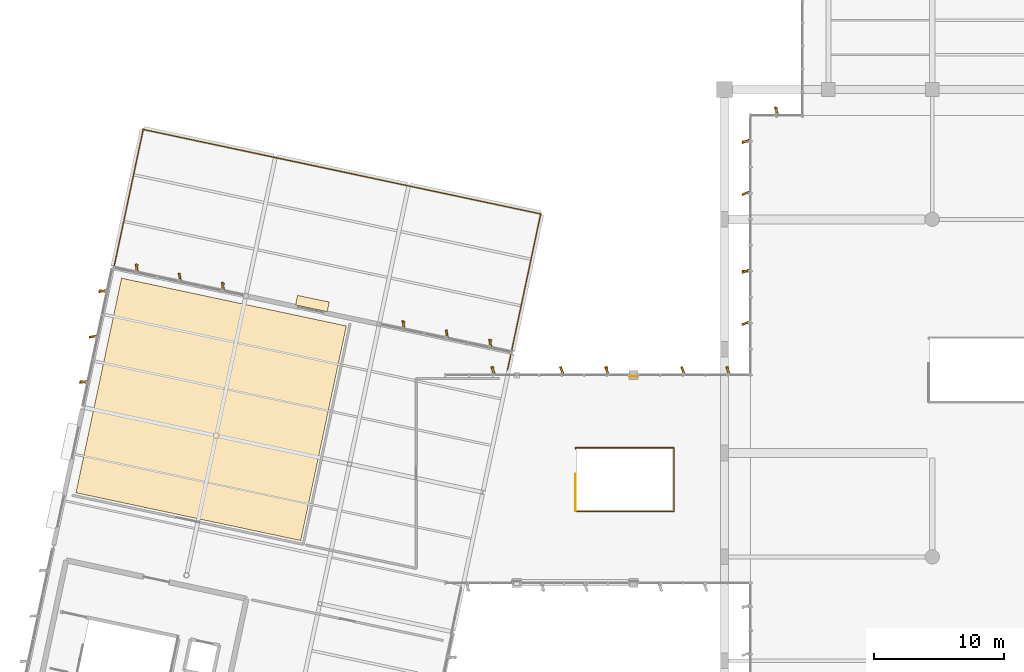
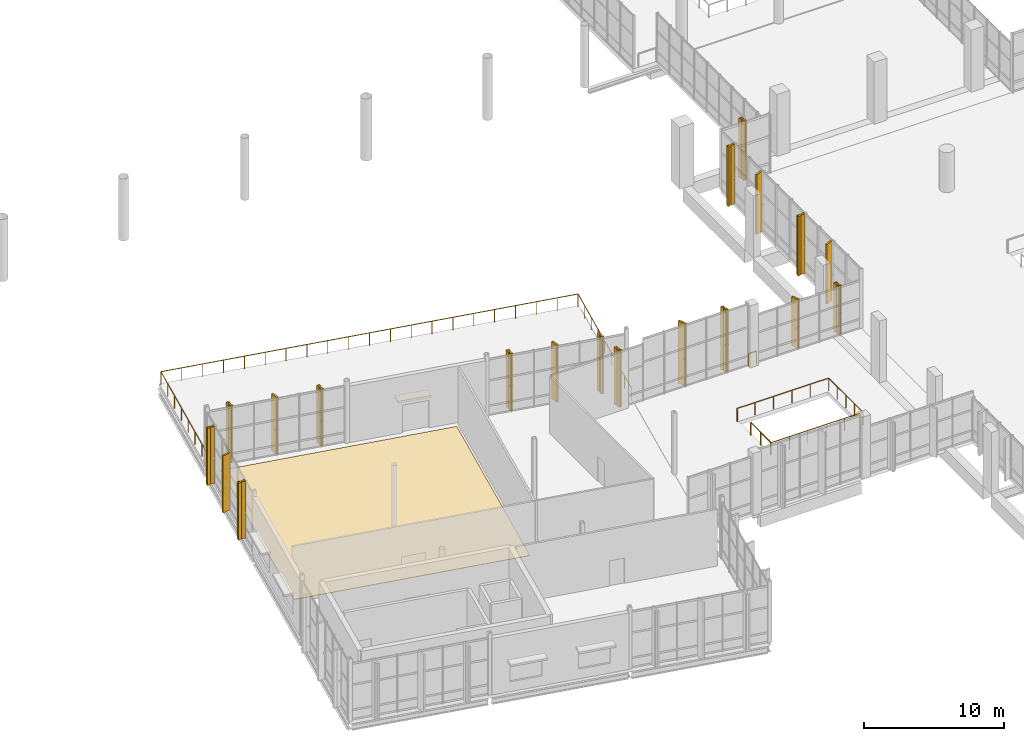
# One storey, part 164 of 176: 19 shading devices, 14 coverings, 4 railings.
"""IFC4 building model written with IfcOpenShell, lengths in metres."""

from ifc_helpers import new_model, si_unit, direction, frame, origin, origin_2d, place, context, subcontext, project, spatial, polyline, rectangle, outline, extrude, material, layer, layer_set, type_object, element, save


model = new_model("IFC4")

# Units and contexts
model_context = context("Model", 3, precision=1e-05, world=origin(), true_north=direction((0.0, 1.0)))
body_context = subcontext(model_context, "Body", "Model", "MODEL_VIEW")
ifc_project = project(units=[si_unit("LENGTHUNIT", "METRE"), si_unit("AREAUNIT", "SQUARE_METRE"), si_unit("VOLUMEUNIT", "CUBIC_METRE"), si_unit("PLANEANGLEUNIT", "RADIAN"), si_unit("MASSUNIT", "GRAM", prefix="KILO")], contexts=[model_context])

# Site, building, storey
site_placement = place(None, origin())
site = spatial("IfcSite", under=ifc_project, at=site_placement, CompositionType="ELEMENT")
building_placement = place(site_placement, origin())
building = spatial("IfcBuilding", under=site, at=building_placement, Name="Khorjan Park Terminus", CompositionType="ELEMENT")
storey_placement = place(building_placement, frame((0.0, 0.0, 6.0)))
storey = spatial("IfcBuildingStorey", under=building, at=storey_placement, Name="L01", CompositionType="ELEMENT", Elevation=6.0)

# Coverings
ifc_material_1 = material(Name="Pigmented Precast GRC", Category="concrete")
ifc_layer_1 = layer(ifc_material_1, 0.16)
ifc_layer_set_1 = layer_set([ifc_layer_1], Name="Pigmented Precast GRC")
covering_type_1 = type_object("IfcCoveringType", Name="CV-FIN-GRC", PredefinedType="CLADDING", material=ifc_layer_set_1)
for number, where, z_axis, x_axis, name in (
    (1, (52.0, 86.355, -0.02), (0.0, 0.0, 1.0), (0.0, -1.0, 0.0), "Projecting desert-sandstone GRC facade fin CL-FN1 (CW-V2-N-L01-01-1)"),
    (2, (49.645, 74.0, -0.02), (0.0, 0.0, 1.0), (1.0, 0.0, 0.0), "Projecting desert-sandstone GRC facade fin CL-FN1 (CW-V2-W-L01-04-1)"),
    (3, (49.645, 84.0, -0.02), (0.0, 0.0, 1.0), (1.0, 0.0, 0.0), "Projecting desert-sandstone GRC facade fin CL-FN1 (CW-V2-W-L01-05-1)"),
):
    element("IfcCovering", number, at=place(storey_placement, frame(where, z_axis=z_axis, x_axis=x_axis)), inside=storey, type_object=covering_type_1, Name=name, PredefinedType="CLADDING", context=body_context, shape_type="SweptSolid", body=[
        extrude(rectangle(XDim=0.58, YDim=0.16, at=origin_2d()), origin(), (0.0, 0.0, 1.0), 5.19),
    ])
covering_1_placement = place(storey_placement, frame((30.1667, 66.355, -0.02), z_axis=(0.0, 0.0, 1.0), x_axis=(0.0, -1.0, 0.0)))
element("IfcCovering", 4, at=covering_1_placement, inside=storey, type_object=covering_type_1, Name="Projecting desert-sandstone GRC facade fin CL-FN1 (CW-V4L-N-L01-1-1)", PredefinedType="CLADDING", context=body_context, shape_type="SweptSolid", body=[
    extrude(rectangle(XDim=0.58, YDim=0.16, at=origin_2d()), origin(), (0.0, 0.0, 1.0), 4.97),
])
covering_2_placement = place(storey_placement, frame((38.936, 66.355, -0.02), z_axis=(0.0, 0.0, 1.0), x_axis=(0.0, -1.0, 0.0)))
element("IfcCovering", 5, at=covering_2_placement, inside=storey, type_object=covering_type_1, Name="Projecting desert-sandstone GRC facade fin CL-FN1 (CW-V4L-N-L01-2-1)", PredefinedType="CLADDING", context=body_context, shape_type="SweptSolid", body=[
    extrude(rectangle(XDim=0.58, YDim=0.16, at=origin_2d()), origin(), (0.0, 0.0, 1.0), 5.44),
])
covering_3_placement = place(storey_placement, frame((48.266, 66.355, -0.02), z_axis=(0.0, 0.0, 1.0), x_axis=(0.0, -1.0, 0.0)))
element("IfcCovering", 6, at=covering_3_placement, inside=storey, type_object=covering_type_1, Name="Projecting desert-sandstone GRC facade fin CL-FN1 (CW-V4L-N-L01-3-1)", PredefinedType="CLADDING", context=body_context, shape_type="SweptSolid", body=[
    extrude(rectangle(XDim=0.58, YDim=0.16, at=origin_2d()), origin(), (0.0, 0.0, 1.0), 4.265),
])
for number, where, z_axis, x_axis, name in (
    (7, (29.9501, 68.4587, -0.02), (0.0, 0.0, 1.0), (-0.207911690818, -0.978147600734, 0.0), "Projecting desert-sandstone GRC facade fin CL-FN1 (CW-V4-N-L01-B01-1)"),
    (8, (23.2723, 69.8781, -0.02), (0.0, 0.0, 1.0), (-0.207911690818, -0.978147600734, 0.0), "Projecting desert-sandstone GRC facade fin CL-FN1 (CW-V4-N-L01-B01-5)"),
    (9, (9.3657, 72.834, -0.02), (0.0, 0.0, 1.0), (-0.207911690818, -0.978147600734, 0.0), "Projecting desert-sandstone GRC facade fin CL-FN1 (CW-V4-N-L01-B03-1)"),
    (10, (2.7227, 74.2461, -0.02), (0.0, 0.0, 1.0), (-0.207911690818, -0.978147600734, 0.0), "Projecting desert-sandstone GRC facade fin CL-FN1 (CW-V4-N-L01-B03-5)"),
    (11, (0.1147, 72.4746, -0.02), (0.0, 0.0, 1.0), (0.978147600734, -0.207911690818, 0.0), "Projecting desert-sandstone GRC facade fin CL-FN1 (CW-V4-W-L01-B01-1)"),
    (12, (-1.3739, 65.4708, -0.02), (0.0, 0.0, 1.0), (0.978147600734, -0.207911690818, 0.0), "Projecting desert-sandstone GRC facade fin CL-FN1 (CW-V4-W-L01-B01-5)"),
):
    element("IfcCovering", number, at=place(storey_placement, frame(where, z_axis=z_axis, x_axis=x_axis)), inside=storey, type_object=covering_type_1, Name=name, PredefinedType="CLADDING", context=body_context, shape_type="SweptSolid", body=[
        extrude(rectangle(XDim=0.58, YDim=0.16, at=origin_2d()), origin(), (0.0, 0.0, 1.0), 4.97),
    ])
ifc_material_2 = material(Name="Polished Desert Limestone Terrazzo", Category="masonry")
ifc_layer_2 = layer(ifc_material_2, 0.035)
ifc_layer_set_2 = layer_set([ifc_layer_2], Name="Polished Desert Limestone Terrazzo")
covering_type_2 = type_object("IfcCoveringType", Name="CV-FLR-TRZ", PredefinedType="FLOORING", material=ifc_layer_set_2)
covering_4_placement = place(storey_placement, origin())
element("IfcCovering", 13, at=covering_4_placement, inside=storey, type_object=covering_type_2, Name="Architectural floor finish FF-TRZ (L01-PAV-DIN)", PredefinedType="FLOORING", context=body_context, shape_type="SweptSolid", body=[
    extrude(outline(polyline([(15.3568, 53.2556), (-1.9564, 56.9357), (1.5574, 73.4664), (18.8706, 69.7863), (15.3568, 53.2556)])), origin(), (0.0, 0.0, 1.0), 0.035),
])
ifc_layer_3 = layer(ifc_material_1, 0.18)
ifc_layer_set_3 = layer_set([ifc_layer_3], Name="Pigmented Precast GRC")
covering_type_3 = type_object("IfcCoveringType", Name="CV-HOOD-GRC", PredefinedType="CLADDING", material=ifc_layer_set_3)
covering_5_placement = place(storey_placement, frame((16.2571, 71.5124, 2.41), z_axis=(0.0, 0.0, 1.0), x_axis=(-0.978147157234, 0.20791377731, 0.0)))
element("IfcCovering", 14, at=covering_5_placement, inside=storey, type_object=covering_type_3, Name="Projecting pigmented-GRC entrance canopy hood CL-HD1 (EW-V4-N-L01-B02)", PredefinedType="CLADDING", context=body_context, shape_type="SweptSolid", body=[
    extrude(rectangle(XDim=2.5, YDim=0.76, at=origin_2d()), origin(), (0.0, 0.0, 1.0), 0.18),
])

# Railings
ifc_material_3 = material(Name="Steel S355", Category="steel")
railing_type_1 = type_object("IfcRailingType", Name="GR-112", PredefinedType="GUARDRAIL", material=ifc_material_3)
railing_1_placement = place(storey_placement, frame((36.52, 55.55, 0.0)))
element("IfcRailing", 15, at=railing_1_placement, inside=storey, type_object=railing_type_1, Name="Stair PVS-01 top-floor well departure guard GR-112", PredefinedType="GUARDRAIL", context=body_context, shape_type="SweptSolid", body=[
    extrude(rectangle(XDim=0.048, YDim=0.048, at=origin_2d()), frame((0.0, 0.0, 1.096), z_axis=(0.0, 1.0, 0.0), x_axis=(-1.0, 0.0, 0.0)), (0.0, 0.0, 1.0), 2.83),
    extrude(rectangle(XDim=0.042, YDim=0.042, at=origin_2d()), origin(), (0.0, 0.0, 1.0), 1.072),
    extrude(rectangle(XDim=0.042, YDim=0.042, at=origin_2d()), frame((0.0, 1.415, 0.0)), (0.0, 0.0, 1.0), 1.072),
    extrude(rectangle(XDim=0.042, YDim=0.042, at=origin_2d()), frame((0.0, 2.83, 0.0)), (0.0, 0.0, 1.0), 1.072),
])
railing_2_placement = place(storey_placement, frame((40.67, 65.9, 0.0)))
element("IfcRailing", 16, at=railing_2_placement, inside=storey, type_object=railing_type_1, Name="Perimeter safety guard GR-112 (L01-19)", PredefinedType="GUARDRAIL", context=body_context, shape_type="SweptSolid", body=[
    extrude(rectangle(XDim=0.048, YDim=0.048, at=origin_2d()), frame((0.0, 0.0, 1.096), z_axis=(1.0, 0.0, 0.0), x_axis=(0.0, 1.0, 0.0)), (0.0, 0.0, 1.0), 0.66),
    extrude(rectangle(XDim=0.042, YDim=0.042, at=origin_2d()), origin(), (0.0, 0.0, 1.0), 1.072),
    extrude(rectangle(XDim=0.042, YDim=0.042, at=origin_2d()), frame((0.66, 0.0, 0.0)), (0.0, 0.0, 1.0), 1.072),
])
ifc_material_4 = material(Name="Anodized Bronze Aluminium & Laminated Glass", Category="aluminium")
railing_type_2 = type_object("IfcRailingType", Name="GR-BAL", PredefinedType="BALUSTRADE", material=ifc_material_4)
railing_3_placement = place(storey_placement, frame((36.515, 58.34, 0.0)))
element("IfcRailing", 17, at=railing_3_placement, inside=storey, type_object=railing_type_2, Name="Perimeter safety guard GB-112 (L01-46)", PredefinedType="BALUSTRADE", context=body_context, shape_type="SweptSolid", body=[
    extrude(rectangle(XDim=0.048, YDim=0.048, at=origin_2d()), frame((0.0, 0.0, 1.096), z_axis=(0.0, -1.0, 0.0), x_axis=(1.0, 0.0, 0.0)), (0.0, 0.0, 1.0), 2.84),
    extrude(rectangle(XDim=0.048, YDim=0.048, at=origin_2d()), frame((0.0, -2.84, 1.096), z_axis=(1.0, 0.0, 0.0), x_axis=(0.0, 1.0, 0.0)), (0.0, 0.0, 1.0), 7.585),
    extrude(rectangle(XDim=0.048, YDim=0.048, at=origin_2d()), frame((7.585, -2.84, 1.096), z_axis=(0.0, 1.0, 0.0), x_axis=(-1.0, 0.0, 0.0)), (0.0, 0.0, 1.0), 4.9),
    extrude(rectangle(XDim=0.048, YDim=0.048, at=origin_2d()), frame((7.585, 2.06, 1.096), z_axis=(-1.0, 0.0, 0.0), x_axis=(0.0, -1.0, 0.0)), (0.0, 0.0, 1.0), 7.585),
    extrude(rectangle(XDim=0.048, YDim=0.048, at=origin_2d()), frame((0.0, 2.06, 1.096), z_axis=(0.0, -1.0, 0.0), x_axis=(1.0, 0.0, 0.0)), (0.0, 0.0, 1.0), 0.1),
    extrude(rectangle(XDim=0.042, YDim=0.042, at=origin_2d()), origin(), (0.0, 0.0, 1.0), 1.072),
    extrude(rectangle(XDim=0.042, YDim=0.042, at=origin_2d()), frame((0.0, -1.42, 0.0)), (0.0, 0.0, 1.0), 1.072),
    extrude(rectangle(XDim=0.042, YDim=0.042, at=origin_2d()), frame((0.0, -2.84, 0.0)), (0.0, 0.0, 1.0), 1.072),
    extrude(rectangle(XDim=0.042, YDim=0.042, at=origin_2d()), frame((1.517, -2.84, 0.0)), (0.0, 0.0, 1.0), 1.072),
    extrude(rectangle(XDim=0.042, YDim=0.042, at=origin_2d()), frame((3.034, -2.84, 0.0)), (0.0, 0.0, 1.0), 1.072),
    extrude(rectangle(XDim=0.042, YDim=0.042, at=origin_2d()), frame((4.551, -2.84, 0.0)), (0.0, 0.0, 1.0), 1.072),
    extrude(rectangle(XDim=0.042, YDim=0.042, at=origin_2d()), frame((6.068, -2.84, 0.0)), (0.0, 0.0, 1.0), 1.072),
    extrude(rectangle(XDim=0.042, YDim=0.042, at=origin_2d()), frame((7.585, -2.84, 0.0)), (0.0, 0.0, 1.0), 1.072),
    extrude(rectangle(XDim=0.042, YDim=0.042, at=origin_2d()), frame((7.585, -1.615, 0.0)), (0.0, 0.0, 1.0), 1.072),
    extrude(rectangle(XDim=0.042, YDim=0.042, at=origin_2d()), frame((7.585, -0.39, 0.0)), (0.0, 0.0, 1.0), 1.072),
    extrude(rectangle(XDim=0.042, YDim=0.042, at=origin_2d()), frame((7.585, 0.835, 0.0)), (0.0, 0.0, 1.0), 1.072),
    extrude(rectangle(XDim=0.042, YDim=0.042, at=origin_2d()), frame((7.585, 2.06, 0.0)), (0.0, 0.0, 1.0), 1.072),
    extrude(rectangle(XDim=0.042, YDim=0.042, at=origin_2d()), frame((6.068, 2.06, 0.0)), (0.0, 0.0, 1.0), 1.072),
    extrude(rectangle(XDim=0.042, YDim=0.042, at=origin_2d()), frame((4.551, 2.06, 0.0)), (0.0, 0.0, 1.0), 1.072),
    extrude(rectangle(XDim=0.042, YDim=0.042, at=origin_2d()), frame((3.034, 2.06, 0.0)), (0.0, 0.0, 1.0), 1.072),
    extrude(rectangle(XDim=0.042, YDim=0.042, at=origin_2d()), frame((1.517, 2.06, 0.0)), (0.0, 0.0, 1.0), 1.072),
    extrude(rectangle(XDim=0.042, YDim=0.042, at=origin_2d()), frame((0.0, 2.06, 0.0)), (0.0, 0.0, 1.0), 1.072),
    extrude(rectangle(XDim=0.042, YDim=0.042, at=origin_2d()), frame((0.0, 1.96, 0.0)), (0.0, 0.0, 1.0), 1.072),
])
railing_type_3 = type_object("IfcRailingType", Name="GR-EXT", PredefinedType="GUARDRAIL", material=ifc_material_3)
railing_4_placement = place(storey_placement, frame((0.9319, 74.131, 0.0)))
element("IfcRailing", 18, at=railing_4_placement, inside=storey, type_object=railing_type_3, Name="Perimeter safety guard GR-EXT (L01-15)", PredefinedType="GUARDRAIL", context=body_context, shape_type="SweptSolid", body=[
    extrude(rectangle(XDim=0.048, YDim=0.048, at=origin_2d()), frame((0.0, 0.0, 1.096), z_axis=(0.207907224554, 0.978148550057, 0.0), x_axis=(-0.978148550057, 0.207907224554, 0.0)), (0.0, 0.0, 1.0), 11.0299),
    extrude(rectangle(XDim=0.048, YDim=0.048, at=origin_2d()), frame((2.2932, 10.7889, 1.096), z_axis=(0.978147944754, -0.207910072324, 0.0), x_axis=(0.207910072324, 0.978147944754, 0.0)), (0.0, 0.0, 1.0), 31.3001),
    extrude(rectangle(XDim=0.048, YDim=0.048, at=origin_2d()), frame((32.9093, 4.2813, 1.096), z_axis=(-0.207914215597, -0.978147064072, 0.0), x_axis=(0.978147064072, -0.207914215597, 0.0)), (0.0, 0.0, 1.0), 12.2704),
    extrude(rectangle(XDim=0.042, YDim=0.042, at=origin_2d()), origin(), (0.0, 0.0, 1.0), 1.072),
    extrude(rectangle(XDim=0.042, YDim=0.042, at=origin_2d()), frame((0.3276, 1.5413, 0.0)), (0.0, 0.0, 1.0), 1.072),
    extrude(rectangle(XDim=0.042, YDim=0.042, at=origin_2d()), frame((0.6552, 3.0825, 0.0)), (0.0, 0.0, 1.0), 1.072),
    extrude(rectangle(XDim=0.042, YDim=0.042, at=origin_2d()), frame((0.9828, 4.6238, 0.0)), (0.0, 0.0, 1.0), 1.072),
    extrude(rectangle(XDim=0.042, YDim=0.042, at=origin_2d()), frame((1.3104, 6.1651, 0.0)), (0.0, 0.0, 1.0), 1.072),
    extrude(rectangle(XDim=0.042, YDim=0.042, at=origin_2d()), frame((1.638, 7.7064, 0.0)), (0.0, 0.0, 1.0), 1.072),
    extrude(rectangle(XDim=0.042, YDim=0.042, at=origin_2d()), frame((1.9656, 9.2476, 0.0)), (0.0, 0.0, 1.0), 1.072),
    extrude(rectangle(XDim=0.042, YDim=0.042, at=origin_2d()), frame((2.2932, 10.7889, 0.0)), (0.0, 0.0, 1.0), 1.072),
    extrude(rectangle(XDim=0.042, YDim=0.042, at=origin_2d()), frame((3.824, 10.4635, 0.0)), (0.0, 0.0, 1.0), 1.072),
    extrude(rectangle(XDim=0.042, YDim=0.042, at=origin_2d()), frame((5.3548, 10.1381, 0.0)), (0.0, 0.0, 1.0), 1.072),
    extrude(rectangle(XDim=0.042, YDim=0.042, at=origin_2d()), frame((6.8856, 9.8128, 0.0)), (0.0, 0.0, 1.0), 1.072),
    extrude(rectangle(XDim=0.042, YDim=0.042, at=origin_2d()), frame((8.4164, 9.4874, 0.0)), (0.0, 0.0, 1.0), 1.072),
    extrude(rectangle(XDim=0.042, YDim=0.042, at=origin_2d()), frame((9.9472, 9.162, 0.0)), (0.0, 0.0, 1.0), 1.072),
    extrude(rectangle(XDim=0.042, YDim=0.042, at=origin_2d()), frame((11.478, 8.8366, 0.0)), (0.0, 0.0, 1.0), 1.072),
    extrude(rectangle(XDim=0.042, YDim=0.042, at=origin_2d()), frame((13.0088, 8.5112, 0.0)), (0.0, 0.0, 1.0), 1.072),
    extrude(rectangle(XDim=0.042, YDim=0.042, at=origin_2d()), frame((14.5396, 8.1859, 0.0)), (0.0, 0.0, 1.0), 1.072),
    extrude(rectangle(XDim=0.042, YDim=0.042, at=origin_2d()), frame((16.0704, 7.8605, 0.0)), (0.0, 0.0, 1.0), 1.072),
    extrude(rectangle(XDim=0.042, YDim=0.042, at=origin_2d()), frame((17.6013, 7.5351, 0.0)), (0.0, 0.0, 1.0), 1.072),
    extrude(rectangle(XDim=0.042, YDim=0.042, at=origin_2d()), frame((19.1321, 7.2097, 0.0)), (0.0, 0.0, 1.0), 1.072),
    extrude(rectangle(XDim=0.042, YDim=0.042, at=origin_2d()), frame((20.6629, 6.8843, 0.0)), (0.0, 0.0, 1.0), 1.072),
    extrude(rectangle(XDim=0.042, YDim=0.042, at=origin_2d()), frame((22.1937, 6.559, 0.0)), (0.0, 0.0, 1.0), 1.072),
    extrude(rectangle(XDim=0.042, YDim=0.042, at=origin_2d()), frame((23.7245, 6.2336, 0.0)), (0.0, 0.0, 1.0), 1.072),
    extrude(rectangle(XDim=0.042, YDim=0.042, at=origin_2d()), frame((25.2553, 5.9082, 0.0)), (0.0, 0.0, 1.0), 1.072),
    extrude(rectangle(XDim=0.042, YDim=0.042, at=origin_2d()), frame((26.7861, 5.5828, 0.0)), (0.0, 0.0, 1.0), 1.072),
    extrude(rectangle(XDim=0.042, YDim=0.042, at=origin_2d()), frame((28.3169, 5.2574, 0.0)), (0.0, 0.0, 1.0), 1.072),
    extrude(rectangle(XDim=0.042, YDim=0.042, at=origin_2d()), frame((29.8477, 4.9321, 0.0)), (0.0, 0.0, 1.0), 1.072),
    extrude(rectangle(XDim=0.042, YDim=0.042, at=origin_2d()), frame((31.3785, 4.6067, 0.0)), (0.0, 0.0, 1.0), 1.072),
    extrude(rectangle(XDim=0.042, YDim=0.042, at=origin_2d()), frame((32.9093, 4.2813, 0.0)), (0.0, 0.0, 1.0), 1.072),
    extrude(rectangle(XDim=0.042, YDim=0.042, at=origin_2d()), frame((32.5904, 2.781, 0.0)), (0.0, 0.0, 1.0), 1.072),
    extrude(rectangle(XDim=0.042, YDim=0.042, at=origin_2d()), frame((32.2715, 1.2807, 0.0)), (0.0, 0.0, 1.0), 1.072),
    extrude(rectangle(XDim=0.042, YDim=0.042, at=origin_2d()), frame((31.9526, -0.2196, 0.0)), (0.0, 0.0, 1.0), 1.072),
    extrude(rectangle(XDim=0.042, YDim=0.042, at=origin_2d()), frame((31.6337, -1.7199, 0.0)), (0.0, 0.0, 1.0), 1.072),
    extrude(rectangle(XDim=0.042, YDim=0.042, at=origin_2d()), frame((31.3148, -3.2201, 0.0)), (0.0, 0.0, 1.0), 1.072),
    extrude(rectangle(XDim=0.042, YDim=0.042, at=origin_2d()), frame((30.9959, -4.7204, 0.0)), (0.0, 0.0, 1.0), 1.072),
    extrude(rectangle(XDim=0.042, YDim=0.042, at=origin_2d()), frame((30.677, -6.2207, 0.0)), (0.0, 0.0, 1.0), 1.072),
    extrude(rectangle(XDim=0.042, YDim=0.042, at=origin_2d()), frame((30.3581, -7.721, 0.0)), (0.0, 0.0, 1.0), 1.072),
])

# Shading devices
ifc_material_5 = material(Name="Anodized Bronze Aluminium", Category="aluminium")
shading_device_type = type_object("IfcShadingDeviceType", Name="SD-FIN-620", PredefinedType="JALOUSIE", material=ifc_material_5)
for number, where, z_axis, x_axis, name in (
    (19, (52.0, 86.355, -0.02), (0.0, 0.0, 1.0), (0.374606593416, -0.927183854567, 0.0), "Angled solar brise-soleil fin SF-62 (CW-V2-N-L01-01-1)"),
    (20, (49.645, 74.0, -0.02), (0.0, 0.0, 1.0), (0.927183854567, 0.374606593416, 0.0), "Angled solar brise-soleil fin SF-62 (CW-V2-W-L01-04-1)"),
    (21, (49.645, 70.0, -0.02), (0.0, 0.0, 1.0), (0.927183854567, 0.374606593416, 0.0), "Angled solar brise-soleil fin SF-62 (CW-V2-W-L01-04-3)"),
    (22, (49.645, 84.0, -0.02), (0.0, 0.0, 1.0), (0.927183854567, 0.374606593416, 0.0), "Angled solar brise-soleil fin SF-62 (CW-V2-W-L01-05-1)"),
    (23, (49.645, 80.0, -0.02), (0.0, 0.0, 1.0), (0.927183854567, 0.374606593416, 0.0), "Angled solar brise-soleil fin SF-62 (CW-V2-W-L01-05-3)"),
):
    element("IfcShadingDevice", number, at=place(storey_placement, frame(where, z_axis=z_axis, x_axis=x_axis)), inside=storey, type_object=shading_device_type, Name=name, PredefinedType="JALOUSIE", context=body_context, shape_type="SweptSolid", body=[
        extrude(rectangle(XDim=0.62, YDim=0.14, at=origin_2d()), origin(), (0.0, 0.0, 1.0), 5.19),
    ])
shading_device_placement = place(storey_placement, frame((30.1667, 66.355, -0.02), z_axis=(0.0, 0.0, 1.0), x_axis=(0.374606593416, -0.927183854567, 0.0)))
element("IfcShadingDevice", 24, at=shading_device_placement, inside=storey, type_object=shading_device_type, Name="Angled solar brise-soleil fin SF-62 (CW-V4L-N-L01-1-1)", PredefinedType="JALOUSIE", context=body_context, shape_type="SweptSolid", body=[
    extrude(rectangle(XDim=0.62, YDim=0.14, at=origin_2d()), origin(), (0.0, 0.0, 1.0), 4.97),
])
for number, where, z_axis, x_axis, name in (
    (25, (38.936, 66.355, -0.02), (0.0, 0.0, 1.0), (0.374606593416, -0.927183854567, 0.0), "Angled solar brise-soleil fin SF-62 (CW-V4L-N-L01-2-1)"),
    (26, (35.468, 66.355, -0.02), (0.0, 0.0, 1.0), (0.374606593416, -0.927183854567, 0.0), "Angled solar brise-soleil fin SF-62 (CW-V4L-N-L01-2-3)"),
):
    element("IfcShadingDevice", number, at=place(storey_placement, frame(where, z_axis=z_axis, x_axis=x_axis)), inside=storey, type_object=shading_device_type, Name=name, PredefinedType="JALOUSIE", context=body_context, shape_type="SweptSolid", body=[
        extrude(rectangle(XDim=0.62, YDim=0.14, at=origin_2d()), origin(), (0.0, 0.0, 1.0), 5.44),
    ])
for number, where, z_axis, x_axis, name in (
    (27, (48.266, 66.355, -0.02), (0.0, 0.0, 1.0), (0.374606593416, -0.927183854567, 0.0), "Angled solar brise-soleil fin SF-62 (CW-V4L-N-L01-3-1)"),
    (28, (44.798, 66.355, -0.02), (0.0, 0.0, 1.0), (0.374606593416, -0.927183854567, 0.0), "Angled solar brise-soleil fin SF-62 (CW-V4L-N-L01-3-3)"),
):
    element("IfcShadingDevice", number, at=place(storey_placement, frame(where, z_axis=z_axis, x_axis=x_axis)), inside=storey, type_object=shading_device_type, Name=name, PredefinedType="JALOUSIE", context=body_context, shape_type="SweptSolid", body=[
        extrude(rectangle(XDim=0.62, YDim=0.14, at=origin_2d()), origin(), (0.0, 0.0, 1.0), 4.265),
    ])
for number, where, z_axis, x_axis, name in (
    (29, (29.9501, 68.4587, -0.02), (0.0, 0.0, 1.0), (0.173648177667, -0.984807753012, 0.0), "Angled solar brise-soleil fin SF-62 (CW-V4-N-L01-B01-1)"),
    (30, (26.6112, 69.1684, -0.02), (0.0, 0.0, 1.0), (0.173648177667, -0.984807753012, 0.0), "Angled solar brise-soleil fin SF-62 (CW-V4-N-L01-B01-3)"),
    (31, (23.2723, 69.8781, -0.02), (0.0, 0.0, 1.0), (0.173648177667, -0.984807753012, 0.0), "Angled solar brise-soleil fin SF-62 (CW-V4-N-L01-B01-5)"),
    (32, (9.3657, 72.834, -0.02), (0.0, 0.0, 1.0), (0.173648177667, -0.984807753012, 0.0), "Angled solar brise-soleil fin SF-62 (CW-V4-N-L01-B03-1)"),
    (33, (6.0442, 73.54, -0.02), (0.0, 0.0, 1.0), (0.173648177667, -0.984807753012, 0.0), "Angled solar brise-soleil fin SF-62 (CW-V4-N-L01-B03-3)"),
    (34, (2.7227, 74.2461, -0.02), (0.0, 0.0, 1.0), (0.173648177667, -0.984807753012, 0.0), "Angled solar brise-soleil fin SF-62 (CW-V4-N-L01-B03-5)"),
    (35, (0.1147, 72.4746, -0.02), (0.0, 0.0, 1.0), (0.984807753012, 0.173648177667, 0.0), "Angled solar brise-soleil fin SF-62 (CW-V4-W-L01-B01-1)"),
    (36, (-0.6296, 68.9727, -0.02), (0.0, 0.0, 1.0), (0.984807753012, 0.173648177667, 0.0), "Angled solar brise-soleil fin SF-62 (CW-V4-W-L01-B01-3)"),
    (37, (-1.3739, 65.4708, -0.02), (0.0, 0.0, 1.0), (0.984807753012, 0.173648177667, 0.0), "Angled solar brise-soleil fin SF-62 (CW-V4-W-L01-B01-5)"),
):
    element("IfcShadingDevice", number, at=place(storey_placement, frame(where, z_axis=z_axis, x_axis=x_axis)), inside=storey, type_object=shading_device_type, Name=name, PredefinedType="JALOUSIE", context=body_context, shape_type="SweptSolid", body=[
        extrude(rectangle(XDim=0.62, YDim=0.14, at=origin_2d()), origin(), (0.0, 0.0, 1.0), 4.97),
    ])

save(model, "model.ifc")
